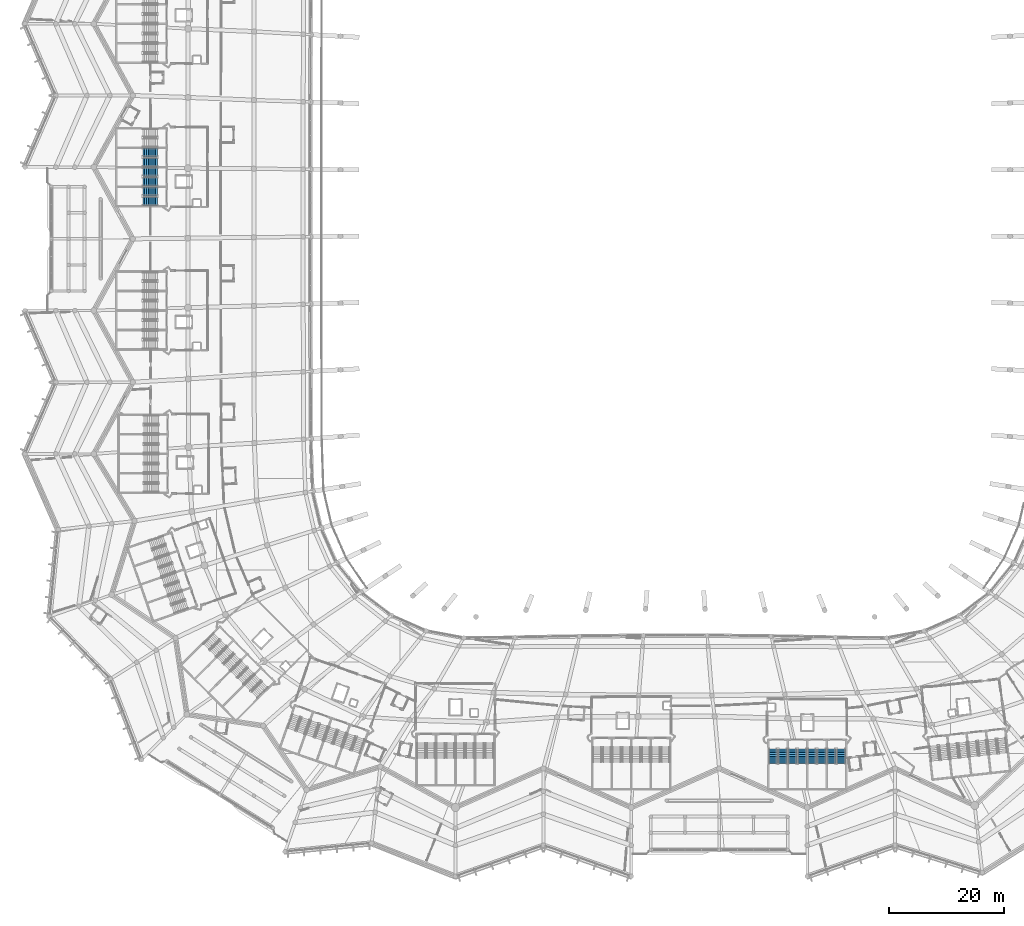
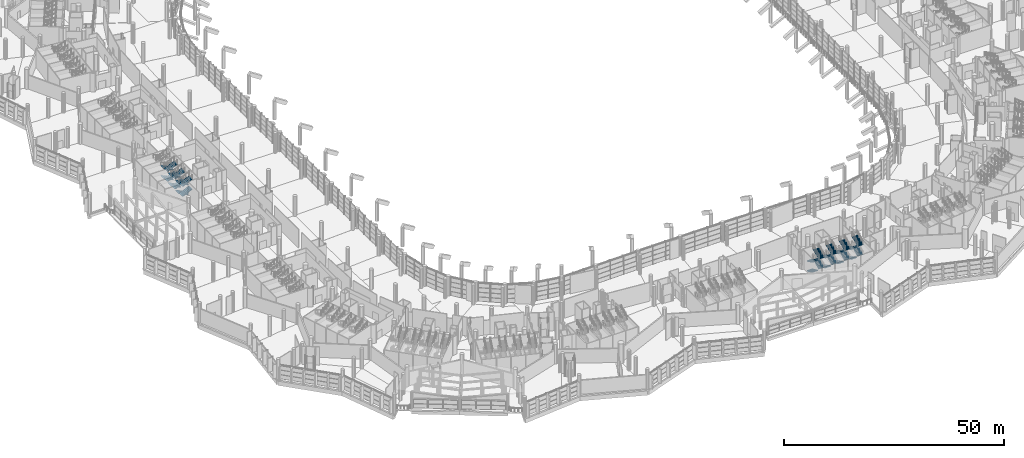
# One storey, part 209 of 271: 28 stair flights, 7 elements without a shape of their own.
"""IFC4 building model written with IfcOpenShell, lengths in metres."""

from ifc_helpers import new_model, si_unit, direction, frame, origin, place, context, subcontext, project, spatial, polyline, outline, extrude, material, type_object, element, aggregate, save


model = new_model("IFC4")

# Units and contexts
model_context = context("Model", 3, precision=1e-05, world=origin(), true_north=direction((0.0, 1.0)))
body_context = subcontext(model_context, "Body", "Model", "MODEL_VIEW")
ifc_project = project(units=[si_unit("LENGTHUNIT", "METRE"), si_unit("AREAUNIT", "SQUARE_METRE"), si_unit("VOLUMEUNIT", "CUBIC_METRE"), si_unit("PLANEANGLEUNIT", "RADIAN"), si_unit("MASSUNIT", "GRAM", prefix="KILO")], contexts=[model_context])

# Site, building, storey
site_placement = place(None, origin())
site = spatial("IfcSite", under=ifc_project, at=site_placement, CompositionType="ELEMENT")
building_placement = place(site_placement, origin())
building = spatial("IfcBuilding", under=site, at=building_placement, Name="Meseta Stadium", CompositionType="ELEMENT")
storey_placement = place(building_placement, frame((0.0, 0.0, 6.5)))
storey = spatial("IfcBuildingStorey", under=building, at=storey_placement, Name="L01", CompositionType="ELEMENT", Elevation=6.5)

# Stair, stair flights
ifc_material_1 = material(Name="Concrete C40/50", Category="concrete")
stair_type = type_object("IfcStairType", Name="Exit stair 4 flights 153 mm risers", PredefinedType="HALF_TURN_STAIR", material=ifc_material_1)
stair_1_placement = place(storey_placement, origin())
stair_1 = element("IfcStair", 1, at=stair_1_placement, inside=storey, type_object=stair_type, Name="ST66 L01", PredefinedType="HALF_TURN_STAIR")
ifc_material_2 = material(Name="Concrete C40/50", Category="concrete")
stair_flight_type = type_object("IfcStairFlightType", Name="Exit stair flight 153 mm risers, 4 per storey", PredefinedType="STRAIGHT", material=ifc_material_2)
stair_flight_1_placement = place(storey_placement, frame((-90.300048828125, 8.800048828125, 0.0), z_axis=(0.0, 0.0, 1.0), x_axis=(-1.0, 0.0, 0.0)))
stair_flight_1 = element("IfcStairFlight", 2, at=stair_flight_1_placement, type_object=stair_flight_type, Name="ST66 L01 flight 1", NumberOfRisers=9, NumberOfTreads=8, PredefinedType="STRAIGHT", RiserHeight=0.152777778, TreadLength=0.32, context=body_context, shape_type="SweptSolid", body=[
    extrude(outline(polyline([(0.0, 0.0), (0.0, 0.15283203125), (0.320068359375, 0.15283203125), (0.320068359375, 0.3056640625), (0.639892578125, 0.3056640625), (0.639892578125, 0.458251953125), (0.9599609375, 0.458251953125), (0.9599609375, 0.611083984375), (1.280029296875, 0.611083984375), (1.280029296875, 0.763916015625), (1.60009765625, 0.763916015625), (1.60009765625, 0.916748046875), (1.919921875, 0.916748046875), (1.919921875, 1.0693359375), (2.239990234375, 1.0693359375), (2.239990234375, 1.22216796875), (2.56005859375, 1.22216796875), (2.56005859375, 1.05615234375), (0.347900390625, 0.0), (0.0, 0.0)])), frame((0.0, 0.75, 0.0), z_axis=(0.0, -1.0, 0.0), x_axis=(1.0, 0.0, 0.0)), (0.0, 0.0, 1.0), 1.5),
])
stair_flight_2_placement = place(storey_placement, frame((-92.860107421875, 7.10009765625, 1.375), z_axis=(0.0, 0.0, 1.0), x_axis=(1.0, 0.0, 0.0)))
stair_flight_2 = element("IfcStairFlight", 3, at=stair_flight_2_placement, type_object=stair_flight_type, Name="ST66 L01 flight 2", NumberOfRisers=9, NumberOfTreads=8, PredefinedType="STRAIGHT", RiserHeight=0.152777778, TreadLength=0.32, context=body_context, shape_type="SweptSolid", body=[
    extrude(outline(polyline([(0.0, 0.0), (0.0, 0.15283203125), (0.320068359375, 0.15283203125), (0.320068359375, 0.3056640625), (0.639892578125, 0.3056640625), (0.639892578125, 0.458251953125), (0.9599609375, 0.458251953125), (0.9599609375, 0.611083984375), (1.280029296875, 0.611083984375), (1.280029296875, 0.763916015625), (1.60009765625, 0.763916015625), (1.60009765625, 0.916748046875), (1.919921875, 0.916748046875), (1.919921875, 1.0693359375), (2.239990234375, 1.0693359375), (2.239990234375, 1.22216796875), (2.56005859375, 1.22216796875), (2.56005859375, 1.05615234375), (0.347900390625, 0.0), (0.0, 0.0)])), frame((0.0, 0.75, 0.0), z_axis=(0.0, -1.0, 0.0), x_axis=(1.0, 0.0, 0.0)), (0.0, 0.0, 1.0), 1.5),
])
stair_flight_3_placement = place(storey_placement, frame((-90.300048828125, 8.800048828125, 2.75), z_axis=(0.0, 0.0, 1.0), x_axis=(-1.0, 0.0, 0.0)))
stair_flight_3 = element("IfcStairFlight", 4, at=stair_flight_3_placement, type_object=stair_flight_type, Name="ST66 L01 flight 3", NumberOfRisers=9, NumberOfTreads=8, PredefinedType="STRAIGHT", RiserHeight=0.152777778, TreadLength=0.32, context=body_context, shape_type="SweptSolid", body=[
    extrude(outline(polyline([(0.0, 0.0), (0.0, 0.15283203125), (0.320068359375, 0.15283203125), (0.320068359375, 0.3056640625), (0.639892578125, 0.3056640625), (0.639892578125, 0.458251953125), (0.9599609375, 0.458251953125), (0.9599609375, 0.611083984375), (1.280029296875, 0.611083984375), (1.280029296875, 0.763916015625), (1.60009765625, 0.763916015625), (1.60009765625, 0.916748046875), (1.919921875, 0.916748046875), (1.919921875, 1.0693359375), (2.239990234375, 1.0693359375), (2.239990234375, 1.22216796875), (2.56005859375, 1.22216796875), (2.56005859375, 1.05615234375), (0.347900390625, 0.0), (0.0, 0.0)])), frame((0.0, 0.75, 0.0), z_axis=(0.0, -1.0, 0.0), x_axis=(1.0, 0.0, 0.0)), (0.0, 0.0, 1.0), 1.5),
])
stair_flight_4_placement = place(storey_placement, frame((-92.860107421875, 7.10009765625, 4.125), z_axis=(0.0, 0.0, 1.0), x_axis=(1.0, 0.0, 0.0)))
stair_flight_4 = element("IfcStairFlight", 5, at=stair_flight_4_placement, type_object=stair_flight_type, Name="ST66 L01 flight 4", NumberOfRisers=9, NumberOfTreads=8, PredefinedType="STRAIGHT", RiserHeight=0.152777778, TreadLength=0.32, context=body_context, shape_type="SweptSolid", body=[
    extrude(outline(polyline([(0.0, 0.0), (0.0, 0.15283203125), (0.320068359375, 0.15283203125), (0.320068359375, 0.3056640625), (0.639892578125, 0.3056640625), (0.639892578125, 0.458251953125), (0.9599609375, 0.458251953125), (0.9599609375, 0.611083984375), (1.280029296875, 0.611083984375), (1.280029296875, 0.763916015625), (1.60009765625, 0.763916015625), (1.60009765625, 0.916748046875), (1.919921875, 0.916748046875), (1.919921875, 1.0693359375), (2.239990234375, 1.0693359375), (2.239990234375, 1.22216796875), (2.56005859375, 1.22216796875), (2.56005859375, 1.05615234375), (0.347900390625, 0.0), (0.0, 0.0)])), frame((0.0, 0.75, 0.0), z_axis=(0.0, -1.0, 0.0), x_axis=(1.0, 0.0, 0.0)), (0.0, 0.0, 1.0), 1.5),
])
aggregate(stair_1, [stair_flight_1, stair_flight_2, stair_flight_3, stair_flight_4])

stair_2_placement = place(storey_placement, origin())
stair_2 = element("IfcStair", 6, at=stair_2_placement, inside=storey, type_object=stair_type, Name="ST67 L01", PredefinedType="HALF_TURN_STAIR")
stair_flight_5_placement = place(storey_placement, frame((-90.300048828125, 5.39990234375, 0.0), z_axis=(0.0, 0.0, 1.0), x_axis=(-1.0, 0.0, 0.0)))
stair_flight_5 = element("IfcStairFlight", 7, at=stair_flight_5_placement, type_object=stair_flight_type, Name="ST67 L01 flight 1", NumberOfRisers=9, NumberOfTreads=8, PredefinedType="STRAIGHT", RiserHeight=0.152777778, TreadLength=0.32, context=body_context, shape_type="SweptSolid", body=[
    extrude(outline(polyline([(0.0, 0.0), (0.0, 0.15283203125), (0.320068359375, 0.15283203125), (0.320068359375, 0.3056640625), (0.639892578125, 0.3056640625), (0.639892578125, 0.458251953125), (0.9599609375, 0.458251953125), (0.9599609375, 0.611083984375), (1.280029296875, 0.611083984375), (1.280029296875, 0.763916015625), (1.60009765625, 0.763916015625), (1.60009765625, 0.916748046875), (1.919921875, 0.916748046875), (1.919921875, 1.0693359375), (2.239990234375, 1.0693359375), (2.239990234375, 1.22216796875), (2.56005859375, 1.22216796875), (2.56005859375, 1.05615234375), (0.347900390625, 0.0), (0.0, 0.0)])), frame((0.0, 0.75, 0.0), z_axis=(0.0, -1.0, 0.0), x_axis=(1.0, 0.0, 0.0)), (0.0, 0.0, 1.0), 1.5),
])
stair_flight_6_placement = place(storey_placement, frame((-92.860107421875, 3.699951171875, 1.375), z_axis=(0.0, 0.0, 1.0), x_axis=(1.0, 0.0, 0.0)))
stair_flight_6 = element("IfcStairFlight", 8, at=stair_flight_6_placement, type_object=stair_flight_type, Name="ST67 L01 flight 2", NumberOfRisers=9, NumberOfTreads=8, PredefinedType="STRAIGHT", RiserHeight=0.152777778, TreadLength=0.32, context=body_context, shape_type="SweptSolid", body=[
    extrude(outline(polyline([(0.0, 0.0), (0.0, 0.15283203125), (0.320068359375, 0.15283203125), (0.320068359375, 0.3056640625), (0.639892578125, 0.3056640625), (0.639892578125, 0.458251953125), (0.9599609375, 0.458251953125), (0.9599609375, 0.611083984375), (1.280029296875, 0.611083984375), (1.280029296875, 0.763916015625), (1.60009765625, 0.763916015625), (1.60009765625, 0.916748046875), (1.919921875, 0.916748046875), (1.919921875, 1.0693359375), (2.239990234375, 1.0693359375), (2.239990234375, 1.22216796875), (2.56005859375, 1.22216796875), (2.56005859375, 1.05615234375), (0.347900390625, 0.0), (0.0, 0.0)])), frame((0.0, 0.75, 0.0), z_axis=(0.0, -1.0, 0.0), x_axis=(1.0, 0.0, 0.0)), (0.0, 0.0, 1.0), 1.5),
])
stair_flight_7_placement = place(storey_placement, frame((-90.300048828125, 5.39990234375, 2.75), z_axis=(0.0, 0.0, 1.0), x_axis=(-1.0, 0.0, 0.0)))
stair_flight_7 = element("IfcStairFlight", 9, at=stair_flight_7_placement, type_object=stair_flight_type, Name="ST67 L01 flight 3", NumberOfRisers=9, NumberOfTreads=8, PredefinedType="STRAIGHT", RiserHeight=0.152777778, TreadLength=0.32, context=body_context, shape_type="SweptSolid", body=[
    extrude(outline(polyline([(0.0, 0.0), (0.0, 0.15283203125), (0.320068359375, 0.15283203125), (0.320068359375, 0.3056640625), (0.639892578125, 0.3056640625), (0.639892578125, 0.458251953125), (0.9599609375, 0.458251953125), (0.9599609375, 0.611083984375), (1.280029296875, 0.611083984375), (1.280029296875, 0.763916015625), (1.60009765625, 0.763916015625), (1.60009765625, 0.916748046875), (1.919921875, 0.916748046875), (1.919921875, 1.0693359375), (2.239990234375, 1.0693359375), (2.239990234375, 1.22216796875), (2.56005859375, 1.22216796875), (2.56005859375, 1.05615234375), (0.347900390625, 0.0), (0.0, 0.0)])), frame((0.0, 0.75, 0.0), z_axis=(0.0, -1.0, 0.0), x_axis=(1.0, 0.0, 0.0)), (0.0, 0.0, 1.0), 1.5),
])
stair_flight_8_placement = place(storey_placement, frame((-92.860107421875, 3.699951171875, 4.125), z_axis=(0.0, 0.0, 1.0), x_axis=(1.0, 0.0, 0.0)))
stair_flight_8 = element("IfcStairFlight", 10, at=stair_flight_8_placement, type_object=stair_flight_type, Name="ST67 L01 flight 4", NumberOfRisers=9, NumberOfTreads=8, PredefinedType="STRAIGHT", RiserHeight=0.152777778, TreadLength=0.32, context=body_context, shape_type="SweptSolid", body=[
    extrude(outline(polyline([(0.0, 0.0), (0.0, 0.15283203125), (0.320068359375, 0.15283203125), (0.320068359375, 0.3056640625), (0.639892578125, 0.3056640625), (0.639892578125, 0.458251953125), (0.9599609375, 0.458251953125), (0.9599609375, 0.611083984375), (1.280029296875, 0.611083984375), (1.280029296875, 0.763916015625), (1.60009765625, 0.763916015625), (1.60009765625, 0.916748046875), (1.919921875, 0.916748046875), (1.919921875, 1.0693359375), (2.239990234375, 1.0693359375), (2.239990234375, 1.22216796875), (2.56005859375, 1.22216796875), (2.56005859375, 1.05615234375), (0.347900390625, 0.0), (0.0, 0.0)])), frame((0.0, 0.75, 0.0), z_axis=(0.0, -1.0, 0.0), x_axis=(1.0, 0.0, 0.0)), (0.0, 0.0, 1.0), 1.5),
])
aggregate(stair_2, [stair_flight_5, stair_flight_6, stair_flight_7, stair_flight_8])

stair_3_placement = place(storey_placement, origin())
stair_3 = element("IfcStair", 11, at=stair_3_placement, inside=storey, type_object=stair_type, Name="ST68 L01", PredefinedType="HALF_TURN_STAIR")
stair_flight_9_placement = place(storey_placement, frame((-90.300048828125, 2.0, 0.0), z_axis=(0.0, 0.0, 1.0), x_axis=(-1.0, 0.0, 0.0)))
stair_flight_9 = element("IfcStairFlight", 12, at=stair_flight_9_placement, type_object=stair_flight_type, Name="ST68 L01 flight 1", NumberOfRisers=9, NumberOfTreads=8, PredefinedType="STRAIGHT", RiserHeight=0.152777778, TreadLength=0.32, context=body_context, shape_type="SweptSolid", body=[
    extrude(outline(polyline([(0.0, 0.0), (0.0, 0.15283203125), (0.320068359375, 0.15283203125), (0.320068359375, 0.3056640625), (0.639892578125, 0.3056640625), (0.639892578125, 0.458251953125), (0.9599609375, 0.458251953125), (0.9599609375, 0.611083984375), (1.280029296875, 0.611083984375), (1.280029296875, 0.763916015625), (1.60009765625, 0.763916015625), (1.60009765625, 0.916748046875), (1.919921875, 0.916748046875), (1.919921875, 1.0693359375), (2.239990234375, 1.0693359375), (2.239990234375, 1.22216796875), (2.56005859375, 1.22216796875), (2.56005859375, 1.05615234375), (0.347900390625, 0.0), (0.0, 0.0)])), frame((0.0, 0.75, 0.0), z_axis=(0.0, -1.0, 0.0), x_axis=(1.0, 0.0, 0.0)), (0.0, 0.0, 1.0), 1.5),
])
stair_flight_10_placement = place(storey_placement, frame((-92.860107421875, 0.300048828125, 1.375), z_axis=(0.0, 0.0, 1.0), x_axis=(1.0, 0.0, 0.0)))
stair_flight_10 = element("IfcStairFlight", 13, at=stair_flight_10_placement, type_object=stair_flight_type, Name="ST68 L01 flight 2", NumberOfRisers=9, NumberOfTreads=8, PredefinedType="STRAIGHT", RiserHeight=0.152777778, TreadLength=0.32, context=body_context, shape_type="SweptSolid", body=[
    extrude(outline(polyline([(0.0, 0.0), (0.0, 0.15283203125), (0.320068359375, 0.15283203125), (0.320068359375, 0.3056640625), (0.639892578125, 0.3056640625), (0.639892578125, 0.458251953125), (0.9599609375, 0.458251953125), (0.9599609375, 0.611083984375), (1.280029296875, 0.611083984375), (1.280029296875, 0.763916015625), (1.60009765625, 0.763916015625), (1.60009765625, 0.916748046875), (1.919921875, 0.916748046875), (1.919921875, 1.0693359375), (2.239990234375, 1.0693359375), (2.239990234375, 1.22216796875), (2.56005859375, 1.22216796875), (2.56005859375, 1.05615234375), (0.347900390625, 0.0), (0.0, 0.0)])), frame((0.0, 0.75, 0.0), z_axis=(0.0, -1.0, 0.0), x_axis=(1.0, 0.0, 0.0)), (0.0, 0.0, 1.0), 1.5),
])
stair_flight_11_placement = place(storey_placement, frame((-90.300048828125, 2.0, 2.75), z_axis=(0.0, 0.0, 1.0), x_axis=(-1.0, 0.0, 0.0)))
stair_flight_11 = element("IfcStairFlight", 14, at=stair_flight_11_placement, type_object=stair_flight_type, Name="ST68 L01 flight 3", NumberOfRisers=9, NumberOfTreads=8, PredefinedType="STRAIGHT", RiserHeight=0.152777778, TreadLength=0.32, context=body_context, shape_type="SweptSolid", body=[
    extrude(outline(polyline([(0.0, 0.0), (0.0, 0.15283203125), (0.320068359375, 0.15283203125), (0.320068359375, 0.3056640625), (0.639892578125, 0.3056640625), (0.639892578125, 0.458251953125), (0.9599609375, 0.458251953125), (0.9599609375, 0.611083984375), (1.280029296875, 0.611083984375), (1.280029296875, 0.763916015625), (1.60009765625, 0.763916015625), (1.60009765625, 0.916748046875), (1.919921875, 0.916748046875), (1.919921875, 1.0693359375), (2.239990234375, 1.0693359375), (2.239990234375, 1.22216796875), (2.56005859375, 1.22216796875), (2.56005859375, 1.05615234375), (0.347900390625, 0.0), (0.0, 0.0)])), frame((0.0, 0.75, 0.0), z_axis=(0.0, -1.0, 0.0), x_axis=(1.0, 0.0, 0.0)), (0.0, 0.0, 1.0), 1.5),
])
stair_flight_12_placement = place(storey_placement, frame((-92.860107421875, 0.300048828125, 4.125), z_axis=(0.0, 0.0, 1.0), x_axis=(1.0, 0.0, 0.0)))
stair_flight_12 = element("IfcStairFlight", 15, at=stair_flight_12_placement, type_object=stair_flight_type, Name="ST68 L01 flight 4", NumberOfRisers=9, NumberOfTreads=8, PredefinedType="STRAIGHT", RiserHeight=0.152777778, TreadLength=0.32, context=body_context, shape_type="SweptSolid", body=[
    extrude(outline(polyline([(0.0, 0.0), (0.0, 0.15283203125), (0.320068359375, 0.15283203125), (0.320068359375, 0.3056640625), (0.639892578125, 0.3056640625), (0.639892578125, 0.458251953125), (0.9599609375, 0.458251953125), (0.9599609375, 0.611083984375), (1.280029296875, 0.611083984375), (1.280029296875, 0.763916015625), (1.60009765625, 0.763916015625), (1.60009765625, 0.916748046875), (1.919921875, 0.916748046875), (1.919921875, 1.0693359375), (2.239990234375, 1.0693359375), (2.239990234375, 1.22216796875), (2.56005859375, 1.22216796875), (2.56005859375, 1.05615234375), (0.347900390625, 0.0), (0.0, 0.0)])), frame((0.0, 0.75, 0.0), z_axis=(0.0, -1.0, 0.0), x_axis=(1.0, 0.0, 0.0)), (0.0, 0.0, 1.0), 1.5),
])
aggregate(stair_3, [stair_flight_9, stair_flight_10, stair_flight_11, stair_flight_12])

stair_4_placement = place(storey_placement, origin())
stair_4 = element("IfcStair", 16, at=stair_4_placement, inside=storey, type_object=stair_type, Name="ST97 L01", PredefinedType="HALF_TURN_STAIR")
stair_flight_13_placement = place(storey_placement, frame((17.050048828125, -95.199951171875, 0.0), z_axis=(0.0, 0.0, 1.0), x_axis=(0.0, -1.0, 0.0)))
stair_flight_13 = element("IfcStairFlight", 17, at=stair_flight_13_placement, type_object=stair_flight_type, Name="ST97 L01 flight 1", NumberOfRisers=9, NumberOfTreads=8, PredefinedType="STRAIGHT", RiserHeight=0.152777778, TreadLength=0.32, context=body_context, shape_type="SweptSolid", body=[
    extrude(outline(polyline([(0.0, 0.0), (0.0, 0.15283203125), (0.320068359375, 0.15283203125), (0.320068359375, 0.3056640625), (0.639892578125, 0.3056640625), (0.639892578125, 0.458251953125), (0.9599609375, 0.458251953125), (0.9599609375, 0.611083984375), (1.280029296875, 0.611083984375), (1.280029296875, 0.763916015625), (1.60009765625, 0.763916015625), (1.60009765625, 0.916748046875), (1.919921875, 0.916748046875), (1.919921875, 1.0693359375), (2.239990234375, 1.0693359375), (2.239990234375, 1.22216796875), (2.56005859375, 1.22216796875), (2.56005859375, 1.05615234375), (0.347900390625, 0.0), (0.0, 0.0)])), frame((0.0, 0.75, 0.0), z_axis=(0.0, -1.0, 0.0), x_axis=(1.0, 0.0, 0.0)), (0.0, 0.0, 1.0), 1.5),
])
stair_flight_14_placement = place(storey_placement, frame((18.75, -97.760009765625, 1.375), z_axis=(0.0, 0.0, 1.0), x_axis=(0.0, 1.0, 0.0)))
stair_flight_14 = element("IfcStairFlight", 18, at=stair_flight_14_placement, type_object=stair_flight_type, Name="ST97 L01 flight 2", NumberOfRisers=9, NumberOfTreads=8, PredefinedType="STRAIGHT", RiserHeight=0.152777778, TreadLength=0.32, context=body_context, shape_type="SweptSolid", body=[
    extrude(outline(polyline([(0.0, 0.0), (0.0, 0.15283203125), (0.320068359375, 0.15283203125), (0.320068359375, 0.3056640625), (0.639892578125, 0.3056640625), (0.639892578125, 0.458251953125), (0.9599609375, 0.458251953125), (0.9599609375, 0.611083984375), (1.280029296875, 0.611083984375), (1.280029296875, 0.763916015625), (1.60009765625, 0.763916015625), (1.60009765625, 0.916748046875), (1.919921875, 0.916748046875), (1.919921875, 1.0693359375), (2.239990234375, 1.0693359375), (2.239990234375, 1.22216796875), (2.56005859375, 1.22216796875), (2.56005859375, 1.05615234375), (0.347900390625, 0.0), (0.0, 0.0)])), frame((0.0, 0.75, 0.0), z_axis=(0.0, -1.0, 0.0), x_axis=(1.0, 0.0, 0.0)), (0.0, 0.0, 1.0), 1.5),
])
stair_flight_15_placement = place(storey_placement, frame((17.050048828125, -95.199951171875, 2.75), z_axis=(0.0, 0.0, 1.0), x_axis=(0.0, -1.0, 0.0)))
stair_flight_15 = element("IfcStairFlight", 19, at=stair_flight_15_placement, type_object=stair_flight_type, Name="ST97 L01 flight 3", NumberOfRisers=9, NumberOfTreads=8, PredefinedType="STRAIGHT", RiserHeight=0.152777778, TreadLength=0.32, context=body_context, shape_type="SweptSolid", body=[
    extrude(outline(polyline([(0.0, 0.0), (0.0, 0.15283203125), (0.320068359375, 0.15283203125), (0.320068359375, 0.3056640625), (0.639892578125, 0.3056640625), (0.639892578125, 0.458251953125), (0.9599609375, 0.458251953125), (0.9599609375, 0.611083984375), (1.280029296875, 0.611083984375), (1.280029296875, 0.763916015625), (1.60009765625, 0.763916015625), (1.60009765625, 0.916748046875), (1.919921875, 0.916748046875), (1.919921875, 1.0693359375), (2.239990234375, 1.0693359375), (2.239990234375, 1.22216796875), (2.56005859375, 1.22216796875), (2.56005859375, 1.05615234375), (0.347900390625, 0.0), (0.0, 0.0)])), frame((0.0, 0.75, 0.0), z_axis=(0.0, -1.0, 0.0), x_axis=(1.0, 0.0, 0.0)), (0.0, 0.0, 1.0), 1.5),
])
stair_flight_16_placement = place(storey_placement, frame((18.75, -97.760009765625, 4.125), z_axis=(0.0, 0.0, 1.0), x_axis=(0.0, 1.0, 0.0)))
stair_flight_16 = element("IfcStairFlight", 20, at=stair_flight_16_placement, type_object=stair_flight_type, Name="ST97 L01 flight 4", NumberOfRisers=9, NumberOfTreads=8, PredefinedType="STRAIGHT", RiserHeight=0.152777778, TreadLength=0.32, context=body_context, shape_type="SweptSolid", body=[
    extrude(outline(polyline([(0.0, 0.0), (0.0, 0.15283203125), (0.320068359375, 0.15283203125), (0.320068359375, 0.3056640625), (0.639892578125, 0.3056640625), (0.639892578125, 0.458251953125), (0.9599609375, 0.458251953125), (0.9599609375, 0.611083984375), (1.280029296875, 0.611083984375), (1.280029296875, 0.763916015625), (1.60009765625, 0.763916015625), (1.60009765625, 0.916748046875), (1.919921875, 0.916748046875), (1.919921875, 1.0693359375), (2.239990234375, 1.0693359375), (2.239990234375, 1.22216796875), (2.56005859375, 1.22216796875), (2.56005859375, 1.05615234375), (0.347900390625, 0.0), (0.0, 0.0)])), frame((0.0, 0.75, 0.0), z_axis=(0.0, -1.0, 0.0), x_axis=(1.0, 0.0, 0.0)), (0.0, 0.0, 1.0), 1.5),
])
aggregate(stair_4, [stair_flight_13, stair_flight_14, stair_flight_15, stair_flight_16])

stair_5_placement = place(storey_placement, origin())
stair_5 = element("IfcStair", 21, at=stair_5_placement, inside=storey, type_object=stair_type, Name="ST98 L01", PredefinedType="HALF_TURN_STAIR")
stair_flight_17_placement = place(storey_placement, frame((20.449951171875, -95.199951171875, 0.0), z_axis=(0.0, 0.0, 1.0), x_axis=(0.0, -1.0, 0.0)))
stair_flight_17 = element("IfcStairFlight", 22, at=stair_flight_17_placement, type_object=stair_flight_type, Name="ST98 L01 flight 1", NumberOfRisers=9, NumberOfTreads=8, PredefinedType="STRAIGHT", RiserHeight=0.152777778, TreadLength=0.32, context=body_context, shape_type="SweptSolid", body=[
    extrude(outline(polyline([(0.0, 0.0), (0.0, 0.15283203125), (0.320068359375, 0.15283203125), (0.320068359375, 0.3056640625), (0.639892578125, 0.3056640625), (0.639892578125, 0.458251953125), (0.9599609375, 0.458251953125), (0.9599609375, 0.611083984375), (1.280029296875, 0.611083984375), (1.280029296875, 0.763916015625), (1.60009765625, 0.763916015625), (1.60009765625, 0.916748046875), (1.919921875, 0.916748046875), (1.919921875, 1.0693359375), (2.239990234375, 1.0693359375), (2.239990234375, 1.22216796875), (2.56005859375, 1.22216796875), (2.56005859375, 1.05615234375), (0.347900390625, 0.0), (0.0, 0.0)])), frame((0.0, 0.75, 0.0), z_axis=(0.0, -1.0, 0.0), x_axis=(1.0, 0.0, 0.0)), (0.0, 0.0, 1.0), 1.5),
])
stair_flight_18_placement = place(storey_placement, frame((22.14990234375, -97.760009765625, 1.375), z_axis=(0.0, 0.0, 1.0), x_axis=(0.0, 1.0, 0.0)))
stair_flight_18 = element("IfcStairFlight", 23, at=stair_flight_18_placement, type_object=stair_flight_type, Name="ST98 L01 flight 2", NumberOfRisers=9, NumberOfTreads=8, PredefinedType="STRAIGHT", RiserHeight=0.152777778, TreadLength=0.32, context=body_context, shape_type="SweptSolid", body=[
    extrude(outline(polyline([(0.0, 0.0), (0.0, 0.15283203125), (0.320068359375, 0.15283203125), (0.320068359375, 0.3056640625), (0.639892578125, 0.3056640625), (0.639892578125, 0.458251953125), (0.9599609375, 0.458251953125), (0.9599609375, 0.611083984375), (1.280029296875, 0.611083984375), (1.280029296875, 0.763916015625), (1.60009765625, 0.763916015625), (1.60009765625, 0.916748046875), (1.919921875, 0.916748046875), (1.919921875, 1.0693359375), (2.239990234375, 1.0693359375), (2.239990234375, 1.22216796875), (2.56005859375, 1.22216796875), (2.56005859375, 1.05615234375), (0.347900390625, 0.0), (0.0, 0.0)])), frame((0.0, 0.75, 0.0), z_axis=(0.0, -1.0, 0.0), x_axis=(1.0, 0.0, 0.0)), (0.0, 0.0, 1.0), 1.5),
])
stair_flight_19_placement = place(storey_placement, frame((20.449951171875, -95.199951171875, 2.75), z_axis=(0.0, 0.0, 1.0), x_axis=(0.0, -1.0, 0.0)))
stair_flight_19 = element("IfcStairFlight", 24, at=stair_flight_19_placement, type_object=stair_flight_type, Name="ST98 L01 flight 3", NumberOfRisers=9, NumberOfTreads=8, PredefinedType="STRAIGHT", RiserHeight=0.152777778, TreadLength=0.32, context=body_context, shape_type="SweptSolid", body=[
    extrude(outline(polyline([(0.0, 0.0), (0.0, 0.15283203125), (0.320068359375, 0.15283203125), (0.320068359375, 0.3056640625), (0.639892578125, 0.3056640625), (0.639892578125, 0.458251953125), (0.9599609375, 0.458251953125), (0.9599609375, 0.611083984375), (1.280029296875, 0.611083984375), (1.280029296875, 0.763916015625), (1.60009765625, 0.763916015625), (1.60009765625, 0.916748046875), (1.919921875, 0.916748046875), (1.919921875, 1.0693359375), (2.239990234375, 1.0693359375), (2.239990234375, 1.22216796875), (2.56005859375, 1.22216796875), (2.56005859375, 1.05615234375), (0.347900390625, 0.0), (0.0, 0.0)])), frame((0.0, 0.75, 0.0), z_axis=(0.0, -1.0, 0.0), x_axis=(1.0, 0.0, 0.0)), (0.0, 0.0, 1.0), 1.5),
])
stair_flight_20_placement = place(storey_placement, frame((22.14990234375, -97.760009765625, 4.125), z_axis=(0.0, 0.0, 1.0), x_axis=(0.0, 1.0, 0.0)))
stair_flight_20 = element("IfcStairFlight", 25, at=stair_flight_20_placement, type_object=stair_flight_type, Name="ST98 L01 flight 4", NumberOfRisers=9, NumberOfTreads=8, PredefinedType="STRAIGHT", RiserHeight=0.152777778, TreadLength=0.32, context=body_context, shape_type="SweptSolid", body=[
    extrude(outline(polyline([(0.0, 0.0), (0.0, 0.15283203125), (0.320068359375, 0.15283203125), (0.320068359375, 0.3056640625), (0.639892578125, 0.3056640625), (0.639892578125, 0.458251953125), (0.9599609375, 0.458251953125), (0.9599609375, 0.611083984375), (1.280029296875, 0.611083984375), (1.280029296875, 0.763916015625), (1.60009765625, 0.763916015625), (1.60009765625, 0.916748046875), (1.919921875, 0.916748046875), (1.919921875, 1.0693359375), (2.239990234375, 1.0693359375), (2.239990234375, 1.22216796875), (2.56005859375, 1.22216796875), (2.56005859375, 1.05615234375), (0.347900390625, 0.0), (0.0, 0.0)])), frame((0.0, 0.75, 0.0), z_axis=(0.0, -1.0, 0.0), x_axis=(1.0, 0.0, 0.0)), (0.0, 0.0, 1.0), 1.5),
])
aggregate(stair_5, [stair_flight_17, stair_flight_18, stair_flight_19, stair_flight_20])

stair_6_placement = place(storey_placement, origin())
stair_6 = element("IfcStair", 26, at=stair_6_placement, inside=storey, type_object=stair_type, Name="ST99 L01", PredefinedType="HALF_TURN_STAIR")
stair_flight_21_placement = place(storey_placement, frame((23.85009765625, -95.199951171875, 0.0), z_axis=(0.0, 0.0, 1.0), x_axis=(0.0, -1.0, 0.0)))
stair_flight_21 = element("IfcStairFlight", 27, at=stair_flight_21_placement, type_object=stair_flight_type, Name="ST99 L01 flight 1", NumberOfRisers=9, NumberOfTreads=8, PredefinedType="STRAIGHT", RiserHeight=0.152777778, TreadLength=0.32, context=body_context, shape_type="SweptSolid", body=[
    extrude(outline(polyline([(0.0, 0.0), (0.0, 0.15283203125), (0.320068359375, 0.15283203125), (0.320068359375, 0.3056640625), (0.639892578125, 0.3056640625), (0.639892578125, 0.458251953125), (0.9599609375, 0.458251953125), (0.9599609375, 0.611083984375), (1.280029296875, 0.611083984375), (1.280029296875, 0.763916015625), (1.60009765625, 0.763916015625), (1.60009765625, 0.916748046875), (1.919921875, 0.916748046875), (1.919921875, 1.0693359375), (2.239990234375, 1.0693359375), (2.239990234375, 1.22216796875), (2.56005859375, 1.22216796875), (2.56005859375, 1.05615234375), (0.347900390625, 0.0), (0.0, 0.0)])), frame((0.0, 0.75, 0.0), z_axis=(0.0, -1.0, 0.0), x_axis=(1.0, 0.0, 0.0)), (0.0, 0.0, 1.0), 1.5),
])
stair_flight_22_placement = place(storey_placement, frame((25.550048828125, -97.760009765625, 1.375), z_axis=(0.0, 0.0, 1.0), x_axis=(0.0, 1.0, 0.0)))
stair_flight_22 = element("IfcStairFlight", 28, at=stair_flight_22_placement, type_object=stair_flight_type, Name="ST99 L01 flight 2", NumberOfRisers=9, NumberOfTreads=8, PredefinedType="STRAIGHT", RiserHeight=0.152777778, TreadLength=0.32, context=body_context, shape_type="SweptSolid", body=[
    extrude(outline(polyline([(0.0, 0.0), (0.0, 0.15283203125), (0.320068359375, 0.15283203125), (0.320068359375, 0.3056640625), (0.639892578125, 0.3056640625), (0.639892578125, 0.458251953125), (0.9599609375, 0.458251953125), (0.9599609375, 0.611083984375), (1.280029296875, 0.611083984375), (1.280029296875, 0.763916015625), (1.60009765625, 0.763916015625), (1.60009765625, 0.916748046875), (1.919921875, 0.916748046875), (1.919921875, 1.0693359375), (2.239990234375, 1.0693359375), (2.239990234375, 1.22216796875), (2.56005859375, 1.22216796875), (2.56005859375, 1.05615234375), (0.347900390625, 0.0), (0.0, 0.0)])), frame((0.0, 0.75, 0.0), z_axis=(0.0, -1.0, 0.0), x_axis=(1.0, 0.0, 0.0)), (0.0, 0.0, 1.0), 1.5),
])
stair_flight_23_placement = place(storey_placement, frame((23.85009765625, -95.199951171875, 2.75), z_axis=(0.0, 0.0, 1.0), x_axis=(0.0, -1.0, 0.0)))
stair_flight_23 = element("IfcStairFlight", 29, at=stair_flight_23_placement, type_object=stair_flight_type, Name="ST99 L01 flight 3", NumberOfRisers=9, NumberOfTreads=8, PredefinedType="STRAIGHT", RiserHeight=0.152777778, TreadLength=0.32, context=body_context, shape_type="SweptSolid", body=[
    extrude(outline(polyline([(0.0, 0.0), (0.0, 0.15283203125), (0.320068359375, 0.15283203125), (0.320068359375, 0.3056640625), (0.639892578125, 0.3056640625), (0.639892578125, 0.458251953125), (0.9599609375, 0.458251953125), (0.9599609375, 0.611083984375), (1.280029296875, 0.611083984375), (1.280029296875, 0.763916015625), (1.60009765625, 0.763916015625), (1.60009765625, 0.916748046875), (1.919921875, 0.916748046875), (1.919921875, 1.0693359375), (2.239990234375, 1.0693359375), (2.239990234375, 1.22216796875), (2.56005859375, 1.22216796875), (2.56005859375, 1.05615234375), (0.347900390625, 0.0), (0.0, 0.0)])), frame((0.0, 0.75, 0.0), z_axis=(0.0, -1.0, 0.0), x_axis=(1.0, 0.0, 0.0)), (0.0, 0.0, 1.0), 1.5),
])
stair_flight_24_placement = place(storey_placement, frame((25.550048828125, -97.760009765625, 4.125), z_axis=(0.0, 0.0, 1.0), x_axis=(0.0, 1.0, 0.0)))
stair_flight_24 = element("IfcStairFlight", 30, at=stair_flight_24_placement, type_object=stair_flight_type, Name="ST99 L01 flight 4", NumberOfRisers=9, NumberOfTreads=8, PredefinedType="STRAIGHT", RiserHeight=0.152777778, TreadLength=0.32, context=body_context, shape_type="SweptSolid", body=[
    extrude(outline(polyline([(0.0, 0.0), (0.0, 0.15283203125), (0.320068359375, 0.15283203125), (0.320068359375, 0.3056640625), (0.639892578125, 0.3056640625), (0.639892578125, 0.458251953125), (0.9599609375, 0.458251953125), (0.9599609375, 0.611083984375), (1.280029296875, 0.611083984375), (1.280029296875, 0.763916015625), (1.60009765625, 0.763916015625), (1.60009765625, 0.916748046875), (1.919921875, 0.916748046875), (1.919921875, 1.0693359375), (2.239990234375, 1.0693359375), (2.239990234375, 1.22216796875), (2.56005859375, 1.22216796875), (2.56005859375, 1.05615234375), (0.347900390625, 0.0), (0.0, 0.0)])), frame((0.0, 0.75, 0.0), z_axis=(0.0, -1.0, 0.0), x_axis=(1.0, 0.0, 0.0)), (0.0, 0.0, 1.0), 1.5),
])
aggregate(stair_6, [stair_flight_21, stair_flight_22, stair_flight_23, stair_flight_24])

stair_7_placement = place(storey_placement, origin())
stair_7 = element("IfcStair", 31, at=stair_7_placement, inside=storey, type_object=stair_type, Name="ST100 L01", PredefinedType="HALF_TURN_STAIR")
stair_flight_25_placement = place(storey_placement, frame((27.25, -95.199951171875, 0.0), z_axis=(0.0, 0.0, 1.0), x_axis=(0.0, -1.0, 0.0)))
stair_flight_25 = element("IfcStairFlight", 32, at=stair_flight_25_placement, type_object=stair_flight_type, Name="ST100 L01 flight 1", NumberOfRisers=9, NumberOfTreads=8, PredefinedType="STRAIGHT", RiserHeight=0.152777778, TreadLength=0.32, context=body_context, shape_type="SweptSolid", body=[
    extrude(outline(polyline([(0.0, 0.0), (0.0, 0.15283203125), (0.320068359375, 0.15283203125), (0.320068359375, 0.3056640625), (0.639892578125, 0.3056640625), (0.639892578125, 0.458251953125), (0.9599609375, 0.458251953125), (0.9599609375, 0.611083984375), (1.280029296875, 0.611083984375), (1.280029296875, 0.763916015625), (1.60009765625, 0.763916015625), (1.60009765625, 0.916748046875), (1.919921875, 0.916748046875), (1.919921875, 1.0693359375), (2.239990234375, 1.0693359375), (2.239990234375, 1.22216796875), (2.56005859375, 1.22216796875), (2.56005859375, 1.05615234375), (0.347900390625, 0.0), (0.0, 0.0)])), frame((0.0, 0.75, 0.0), z_axis=(0.0, -1.0, 0.0), x_axis=(1.0, 0.0, 0.0)), (0.0, 0.0, 1.0), 1.5),
])
stair_flight_26_placement = place(storey_placement, frame((28.949951171875, -97.760009765625, 1.375), z_axis=(0.0, 0.0, 1.0), x_axis=(0.0, 1.0, 0.0)))
stair_flight_26 = element("IfcStairFlight", 33, at=stair_flight_26_placement, type_object=stair_flight_type, Name="ST100 L01 flight 2", NumberOfRisers=9, NumberOfTreads=8, PredefinedType="STRAIGHT", RiserHeight=0.152777778, TreadLength=0.32, context=body_context, shape_type="SweptSolid", body=[
    extrude(outline(polyline([(0.0, 0.0), (0.0, 0.15283203125), (0.320068359375, 0.15283203125), (0.320068359375, 0.3056640625), (0.639892578125, 0.3056640625), (0.639892578125, 0.458251953125), (0.9599609375, 0.458251953125), (0.9599609375, 0.611083984375), (1.280029296875, 0.611083984375), (1.280029296875, 0.763916015625), (1.60009765625, 0.763916015625), (1.60009765625, 0.916748046875), (1.919921875, 0.916748046875), (1.919921875, 1.0693359375), (2.239990234375, 1.0693359375), (2.239990234375, 1.22216796875), (2.56005859375, 1.22216796875), (2.56005859375, 1.05615234375), (0.347900390625, 0.0), (0.0, 0.0)])), frame((0.0, 0.75, 0.0), z_axis=(0.0, -1.0, 0.0), x_axis=(1.0, 0.0, 0.0)), (0.0, 0.0, 1.0), 1.5),
])
stair_flight_27_placement = place(storey_placement, frame((27.25, -95.199951171875, 2.75), z_axis=(0.0, 0.0, 1.0), x_axis=(0.0, -1.0, 0.0)))
stair_flight_27 = element("IfcStairFlight", 34, at=stair_flight_27_placement, type_object=stair_flight_type, Name="ST100 L01 flight 3", NumberOfRisers=9, NumberOfTreads=8, PredefinedType="STRAIGHT", RiserHeight=0.152777778, TreadLength=0.32, context=body_context, shape_type="SweptSolid", body=[
    extrude(outline(polyline([(0.0, 0.0), (0.0, 0.15283203125), (0.320068359375, 0.15283203125), (0.320068359375, 0.3056640625), (0.639892578125, 0.3056640625), (0.639892578125, 0.458251953125), (0.9599609375, 0.458251953125), (0.9599609375, 0.611083984375), (1.280029296875, 0.611083984375), (1.280029296875, 0.763916015625), (1.60009765625, 0.763916015625), (1.60009765625, 0.916748046875), (1.919921875, 0.916748046875), (1.919921875, 1.0693359375), (2.239990234375, 1.0693359375), (2.239990234375, 1.22216796875), (2.56005859375, 1.22216796875), (2.56005859375, 1.05615234375), (0.347900390625, 0.0), (0.0, 0.0)])), frame((0.0, 0.75, 0.0), z_axis=(0.0, -1.0, 0.0), x_axis=(1.0, 0.0, 0.0)), (0.0, 0.0, 1.0), 1.5),
])
stair_flight_28_placement = place(storey_placement, frame((28.949951171875, -97.760009765625, 4.125), z_axis=(0.0, 0.0, 1.0), x_axis=(0.0, 1.0, 0.0)))
stair_flight_28 = element("IfcStairFlight", 35, at=stair_flight_28_placement, type_object=stair_flight_type, Name="ST100 L01 flight 4", NumberOfRisers=9, NumberOfTreads=8, PredefinedType="STRAIGHT", RiserHeight=0.152777778, TreadLength=0.32, context=body_context, shape_type="SweptSolid", body=[
    extrude(outline(polyline([(0.0, 0.0), (0.0, 0.15283203125), (0.320068359375, 0.15283203125), (0.320068359375, 0.3056640625), (0.639892578125, 0.3056640625), (0.639892578125, 0.458251953125), (0.9599609375, 0.458251953125), (0.9599609375, 0.611083984375), (1.280029296875, 0.611083984375), (1.280029296875, 0.763916015625), (1.60009765625, 0.763916015625), (1.60009765625, 0.916748046875), (1.919921875, 0.916748046875), (1.919921875, 1.0693359375), (2.239990234375, 1.0693359375), (2.239990234375, 1.22216796875), (2.56005859375, 1.22216796875), (2.56005859375, 1.05615234375), (0.347900390625, 0.0), (0.0, 0.0)])), frame((0.0, 0.75, 0.0), z_axis=(0.0, -1.0, 0.0), x_axis=(1.0, 0.0, 0.0)), (0.0, 0.0, 1.0), 1.5),
])
aggregate(stair_7, [stair_flight_25, stair_flight_26, stair_flight_27, stair_flight_28])

save(model, "model.ifc")
